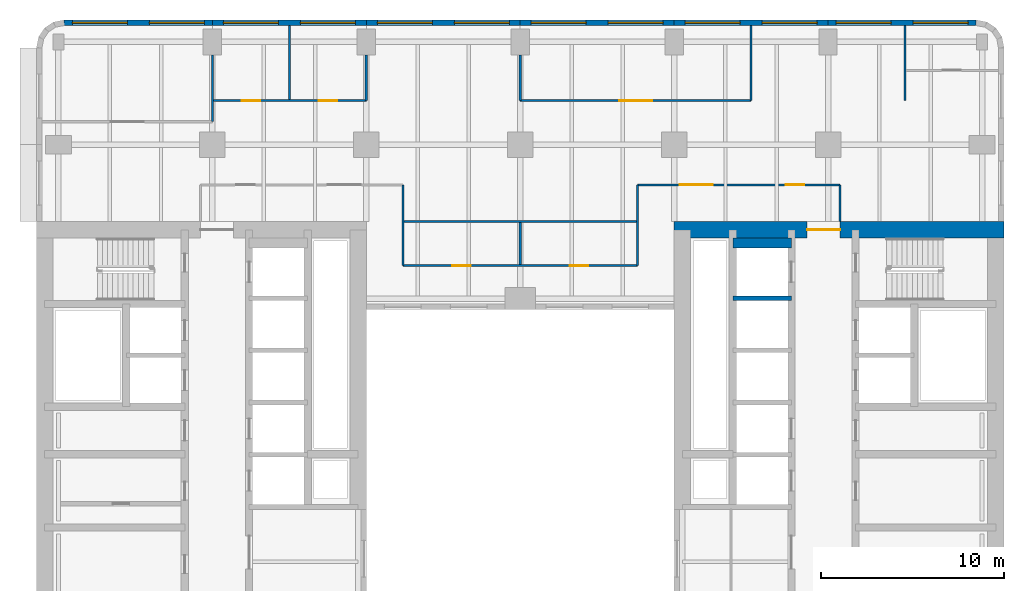
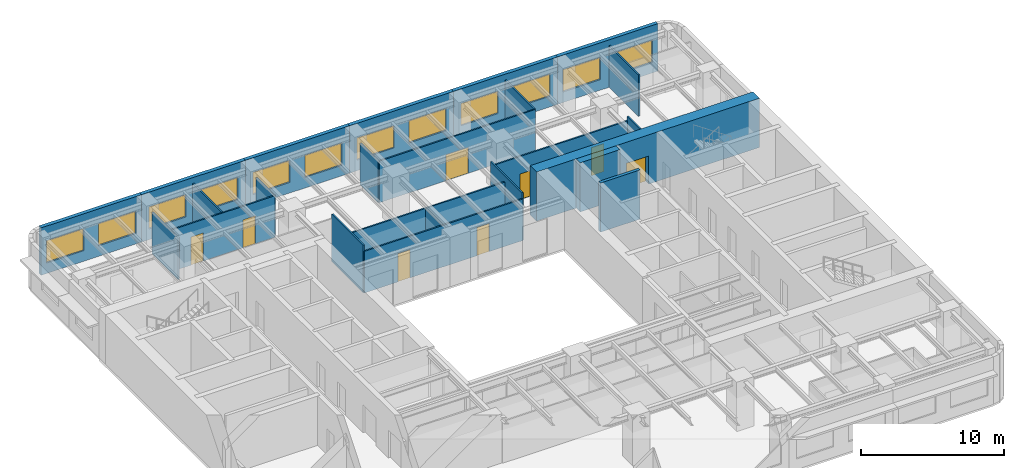
# One storey, part 7 of 11: 24 walls, 12 windows, 8 doors, 20 openings.
"""IFC4 building model written with IfcOpenShell, lengths in metres."""

from ifc_helpers import new_model, si_unit, direction, frame, frame_2d, origin, place, context, subcontext, project, spatial, rectangle, extrude, material, layer, layer_set, type_object, element, fill, save


model = new_model("IFC4")

# Units and contexts
model_context = context("Model", 3, precision=1e-05, world=origin(), true_north=direction((0.0, 1.0)))
body_context = subcontext(model_context, "Body", "Model", "MODEL_VIEW")
ifc_project = project(units=[si_unit("LENGTHUNIT", "METRE"), si_unit("AREAUNIT", "SQUARE_METRE"), si_unit("VOLUMEUNIT", "CUBIC_METRE"), si_unit("PLANEANGLEUNIT", "RADIAN"), si_unit("MASSUNIT", "GRAM", prefix="KILO")], contexts=[model_context])

# Site, building, storey
site_placement = place(None, origin())
site = spatial("IfcSite", under=ifc_project, at=site_placement, CompositionType="ELEMENT")
building_placement = place(site_placement, origin())
building = spatial("IfcBuilding", under=site, at=building_placement, Name="Claustro Exchange Tower", CompositionType="ELEMENT")
storey_placement = place(building_placement, frame((0.0, 0.0, 113.39990234375)))
storey = spatial("IfcBuildingStorey", under=building, at=storey_placement, Name="L25", CompositionType="ELEMENT", Elevation=113.39990234375)

# Wall, openings, doors
ifc_material_1 = material(Name="Laminated glass in aluminium frame", Category="aluminium")
ifc_layer_1 = layer(ifc_material_1, 0.1201171875)
ifc_layer_set_1 = layer_set([ifc_layer_1], Name="Laminated glass in aluminium frame")
wall_type_1 = type_object("IfcWallType", Name="P2 120 glazed partition", PredefinedType="PARTITIONING", material=ifc_layer_set_1)
wall_1_placement = place(storey_placement, frame((8.4580078125, 44.39990234375, 0.0), z_axis=(0.0, 0.0, 1.0), x_axis=(1.0, 0.0, 0.0)))
wall_1 = element("IfcWall", 1, at=wall_1_placement, inside=storey, type_object=wall_type_1, Name="Partition P2 L25", PredefinedType="PARTITIONING", context=body_context, shape_type="SweptSolid", body=[
    extrude(rectangle(XDim=8.342041015625, YDim=0.1201171875, at=frame_2d((4.1708984375, 0.0))), origin(), (0.0, 0.0, 1.0), 3.550048828125),
])
opening_1_placement = place(wall_1_placement, frame((1.5419921875, 0.0, 0.0)))
opening_1 = element("IfcOpeningElement", 2, at=opening_1_placement, cuts=wall_1, Name="Opening D7", PredefinedType="OPENING", context=body_context, shape_type="SweptSolid", body=[
    extrude(rectangle(XDim=1.0, YDim=2.39990234375, at=frame_2d((0.5, 1.199951171875))), frame((0.0, 0.070068359375, 0.0), z_axis=(0.0, -1.0, 0.0), x_axis=(1.0, 0.0, 0.0)), (0.0, 0.0, 1.0), 0.14013671875),
])
opening_2_placement = place(wall_1_placement, frame((5.741943359375, 0.0, 0.0)))
opening_2 = element("IfcOpeningElement", 3, at=opening_2_placement, cuts=wall_1, Name="Opening D7", PredefinedType="OPENING", context=body_context, shape_type="SweptSolid", body=[
    extrude(rectangle(XDim=1.0, YDim=2.39990234375, at=frame_2d((0.5, 1.199951171875))), frame((0.0, 0.070068359375, 0.0), z_axis=(0.0, -1.0, 0.0), x_axis=(1.0, 0.0, 0.0)), (0.0, 0.0, 1.0), 0.14013671875),
])
ifc_material_2 = material(Name="Glass door in aluminium frame", Category="aluminium")
door_type_1 = type_object("IfcDoorType", Name="D7 1000 x 2400 glazed door", OperationType="SINGLE_SWING_LEFT", PredefinedType="DOOR", material=ifc_material_2)
door_1_placement = place(opening_1_placement, origin())
door_1 = element("IfcDoor", 4, at=door_1_placement, inside=storey, type_object=door_type_1, Name="Door D7 L25", OperationType="SINGLE_SWING_RIGHT", OverallHeight=2.39990234375, OverallWidth=1.0, PredefinedType="DOOR", context=body_context, shape_type="SweptSolid", body=[
    extrude(rectangle(XDim=1.0, YDim=2.39990234375, at=frame_2d((0.5, 1.199951171875))), frame((0.0, 0.02490234375, 0.0), z_axis=(0.0, -1.0, 0.0), x_axis=(1.0, 0.0, 0.0)), (0.0, 0.0, 1.0), 0.050048828125),
])
fill(opening_1, door_1)
door_2_placement = place(opening_2_placement, origin())
door_2 = element("IfcDoor", 5, at=door_2_placement, inside=storey, type_object=door_type_1, Name="Door D7 L25", OperationType="SINGLE_SWING_LEFT", OverallHeight=2.39990234375, OverallWidth=1.0, PredefinedType="DOOR", context=body_context, shape_type="SweptSolid", body=[
    extrude(rectangle(XDim=1.0, YDim=2.39990234375, at=frame_2d((0.5, 1.199951171875))), frame((0.0, 0.02490234375, 0.0), z_axis=(0.0, -1.0, 0.0), x_axis=(1.0, 0.0, 0.0)), (0.0, 0.0, 1.0), 0.050048828125),
])
fill(opening_2, door_2)

# Walls
wall_2_placement = place(storey_placement, frame((8.39990234375, 43.25, 0.0), z_axis=(0.0, 0.0, 1.0), x_axis=(0.0, 1.0, 0.0)))
element("IfcWall", 6, at=wall_2_placement, inside=storey, type_object=wall_type_1, Name="Partition P2 L25", PredefinedType="PARTITIONING", context=body_context, shape_type="SweptSolid", body=[
    extrude(rectangle(XDim=3.65087890625, YDim=0.1201171875, at=frame_2d((1.825439453125, 0.0))), origin(), (0.0, 0.0, 1.0), 3.550048828125),
])
wall_3_placement = place(storey_placement, frame((12.60009765625, 44.4580078125, 0.0), z_axis=(0.0, 0.0, 1.0), x_axis=(0.0, 1.0, 0.0)))
element("IfcWall", 7, at=wall_3_placement, inside=storey, type_object=wall_type_1, Name="Partition P2 L25", PredefinedType="PARTITIONING", context=body_context, shape_type="SweptSolid", body=[
    extrude(rectangle(XDim=4.0439453125, YDim=0.1201171875, at=frame_2d((2.02197265625, 0.0))), origin(), (0.0, 0.0, 1.0), 3.56005859375),
])
wall_4_placement = place(storey_placement, frame((16.800048828125, 44.39990234375, 0.0), z_axis=(0.0, 0.0, 1.0), x_axis=(0.0, 1.0, 0.0)))
element("IfcWall", 8, at=wall_4_placement, inside=storey, type_object=wall_type_1, Name="Partition P2 L25", PredefinedType="PARTITIONING", context=body_context, shape_type="SweptSolid", body=[
    extrude(rectangle(XDim=2.5009765625, YDim=0.1201171875, at=frame_2d((1.25048828125, 0.0))), origin(), (0.0, 0.0, 1.0), 3.550048828125),
])

# Wall, opening, door
wall_5_placement = place(storey_placement, frame((25.199951171875, 44.39990234375, 0.0), z_axis=(0.0, 0.0, 1.0), x_axis=(1.0, 0.0, 0.0)))
wall_5 = element("IfcWall", 9, at=wall_5_placement, inside=storey, type_object=wall_type_1, Name="Partition P2 L25", PredefinedType="PARTITIONING", context=body_context, shape_type="SweptSolid", body=[
    extrude(rectangle(XDim=12.60009765625, YDim=0.1201171875, at=frame_2d((6.300048828125, 0.0))), origin(), (0.0, 0.0, 1.0), 3.550048828125),
])
opening_3_placement = place(wall_5_placement, frame((5.39990234375, 0.0, 0.0)))
opening_3 = element("IfcOpeningElement", 10, at=opening_3_placement, cuts=wall_5, Name="Opening D2", PredefinedType="OPENING", context=body_context, shape_type="SweptSolid", body=[
    extrude(rectangle(XDim=1.800048828125, YDim=2.199951171875, at=frame_2d((0.89990234375, 1.10009765625))), frame((0.0, 0.070068359375, 0.0), z_axis=(0.0, -1.0, 0.0), x_axis=(1.0, 0.0, 0.0)), (0.0, 0.0, 1.0), 0.14013671875),
])
ifc_material_3 = material(Name="Timber door, oak veneer", Category="wood")
door_type_2 = type_object("IfcDoorType", Name="D2 1800 x 2200 double door", OperationType="DOUBLE_DOOR_SINGLE_SWING", PredefinedType="DOOR", material=ifc_material_3)
door_3_placement = place(opening_3_placement, origin())
door_3 = element("IfcDoor", 11, at=door_3_placement, inside=storey, type_object=door_type_2, Name="Double door D2 L25", OperationType="DOUBLE_DOOR_SINGLE_SWING", OverallHeight=2.199951171875, OverallWidth=1.800048828125, PredefinedType="DOOR", context=body_context, shape_type="SweptSolid", body=[
    extrude(rectangle(XDim=1.800048828125, YDim=2.199951171875, at=frame_2d((0.89990234375, 1.10009765625))), frame((0.0, 0.02490234375, 0.0), z_axis=(0.0, -1.0, 0.0), x_axis=(1.0, 0.0, 0.0)), (0.0, 0.0, 1.0), 0.050048828125),
])
fill(opening_3, door_3)

# Walls
wall_6_placement = place(storey_placement, frame((25.199951171875, 44.39990234375, 0.0), z_axis=(0.0, 0.0, 1.0), x_axis=(0.0, 1.0, 0.0)))
element("IfcWall", 12, at=wall_6_placement, inside=storey, type_object=wall_type_1, Name="Partition P2 L25", PredefinedType="PARTITIONING", context=body_context, shape_type="SweptSolid", body=[
    extrude(rectangle(XDim=2.5009765625, YDim=0.1201171875, at=frame_2d((1.25048828125, 0.0))), origin(), (0.0, 0.0, 1.0), 3.550048828125),
])
for number, where, z_axis, x_axis, name in (
    (13, (37.800048828125, 44.39990234375, 0.0), (0.0, 0.0, 1.0), (0.0, 1.0, 0.0), "Partition P2 L25"),
    (14, (46.199951171875, 44.39990234375, 0.0), (0.0, 0.0, 1.0), (0.0, 1.0, 0.0), "Partition P2 L25"),
):
    element("IfcWall", number, at=place(storey_placement, frame(where, z_axis=z_axis, x_axis=x_axis)), inside=storey, type_object=wall_type_1, Name=name, PredefinedType="PARTITIONING", context=body_context, shape_type="SweptSolid", body=[
        extrude(rectangle(XDim=4.10205078125, YDim=0.1201171875, at=frame_2d((2.051025390625, 0.0))), origin(), (0.0, 0.0, 1.0), 3.56005859375),
    ])

# Wall, openings, doors
wall_7_placement = place(storey_placement, frame((31.60009765625, 39.800048828125, 0.0), z_axis=(0.0, 0.0, 1.0), x_axis=(1.0, 0.0, 0.0)))
wall_7 = element("IfcWall", 15, at=wall_7_placement, inside=storey, type_object=wall_type_1, Name="Partition P2 L25", PredefinedType="PARTITIONING", context=body_context, shape_type="SweptSolid", body=[
    extrude(rectangle(XDim=11.0498046875, YDim=0.1201171875, at=frame_2d((5.52490234375, 0.0))), origin(), (0.0, 0.0, 1.0), 3.690185546875),
])
opening_4_placement = place(wall_7_placement, frame((2.300048828125, 0.0, 0.0)))
opening_4 = element("IfcOpeningElement", 16, at=opening_4_placement, cuts=wall_7, Name="Opening D2", PredefinedType="OPENING", context=body_context, shape_type="SweptSolid", body=[
    extrude(rectangle(XDim=1.800048828125, YDim=2.199951171875, at=frame_2d((0.89990234375, 1.10009765625))), frame((0.0, 0.070068359375, 0.0), z_axis=(0.0, -1.0, 0.0), x_axis=(1.0, 0.0, 0.0)), (0.0, 0.0, 1.0), 0.14013671875),
])
opening_5_placement = place(wall_7_placement, frame((8.10009765625, 0.0, 0.0)))
opening_5 = element("IfcOpeningElement", 17, at=opening_5_placement, cuts=wall_7, Name="Opening D7", PredefinedType="OPENING", context=body_context, shape_type="SweptSolid", body=[
    extrude(rectangle(XDim=1.0, YDim=2.39990234375, at=frame_2d((0.5, 1.199951171875))), frame((0.0, 0.070068359375, 0.0), z_axis=(0.0, -1.0, 0.0), x_axis=(1.0, 0.0, 0.0)), (0.0, 0.0, 1.0), 0.14013671875),
])
door_4_placement = place(opening_4_placement, origin())
door_4 = element("IfcDoor", 18, at=door_4_placement, inside=storey, type_object=door_type_2, Name="Double door D2 L25", OperationType="DOUBLE_DOOR_SINGLE_SWING", OverallHeight=2.199951171875, OverallWidth=1.800048828125, PredefinedType="DOOR", context=body_context, shape_type="SweptSolid", body=[
    extrude(rectangle(XDim=1.800048828125, YDim=2.199951171875, at=frame_2d((0.89990234375, 1.10009765625))), frame((0.0, 0.02490234375, 0.0), z_axis=(0.0, -1.0, 0.0), x_axis=(1.0, 0.0, 0.0)), (0.0, 0.0, 1.0), 0.050048828125),
])
fill(opening_4, door_4)
door_5_placement = place(opening_5_placement, origin())
door_5 = element("IfcDoor", 19, at=door_5_placement, inside=storey, type_object=door_type_1, Name="Door D7 L25", OperationType="SINGLE_SWING_RIGHT", OverallHeight=2.39990234375, OverallWidth=1.0, PredefinedType="DOOR", context=body_context, shape_type="SweptSolid", body=[
    extrude(rectangle(XDim=1.0, YDim=2.39990234375, at=frame_2d((0.5, 1.199951171875))), frame((0.0, 0.02490234375, 0.0), z_axis=(0.0, -1.0, 0.0), x_axis=(1.0, 0.0, 0.0)), (0.0, 0.0, 1.0), 0.050048828125),
])
fill(opening_5, door_5)

# Walls
wall_8_placement = place(storey_placement, frame((42.64990234375, 37.800048828125, 0.0), z_axis=(0.0, 0.0, 1.0), x_axis=(0.0, 1.0, 0.0)))
element("IfcWall", 20, at=wall_8_placement, inside=storey, type_object=wall_type_1, Name="Partition P2 L25", PredefinedType="PARTITIONING", context=body_context, shape_type="SweptSolid", body=[
    extrude(rectangle(XDim=2.0, YDim=0.1201171875, at=frame_2d((1.0, 0.0))), origin(), (0.0, 0.0, 1.0), 4.050048828125),
])
for number, where, z_axis, x_axis, name in (
    (21, (18.800048828125, 35.39990234375, 0.0), (0.0, 0.0, 1.0), (0.0, 1.0, 0.0), "Partition P2 L25"),
    (22, (31.60009765625, 35.39990234375, 0.0), (0.0, 0.0, 1.0), (0.0, 1.0, 0.0), "Partition P2 L25"),
):
    element("IfcWall", number, at=place(storey_placement, frame(where, z_axis=z_axis, x_axis=x_axis)), inside=storey, type_object=wall_type_1, Name=name, PredefinedType="PARTITIONING", context=body_context, shape_type="SweptSolid", body=[
        extrude(rectangle(XDim=4.400146484375, YDim=0.1201171875, at=frame_2d((2.2001953125, 0.0))), origin(), (0.0, 0.0, 1.0), 4.050048828125),
    ])
wall_9_placement = place(storey_placement, frame((25.199951171875, 35.4580078125, 0.0), z_axis=(0.0, 0.0, 1.0), x_axis=(0.0, 1.0, 0.0)))
element("IfcWall", 23, at=wall_9_placement, inside=storey, type_object=wall_type_1, Name="Partition P2 L25", PredefinedType="PARTITIONING", context=body_context, shape_type="SweptSolid", body=[
    extrude(rectangle(XDim=2.283935546875, YDim=0.1201171875, at=frame_2d((1.14208984375, 0.0))), origin(), (0.0, 0.0, 1.0), 3.550048828125),
])

# Wall, openings, doors
wall_10_placement = place(storey_placement, frame((18.800048828125, 35.39990234375, 0.0), z_axis=(0.0, 0.0, 1.0), x_axis=(1.0, 0.0, 0.0)))
wall_10 = element("IfcWall", 24, at=wall_10_placement, inside=storey, type_object=wall_type_1, Name="Partition P2 L25", PredefinedType="PARTITIONING", context=body_context, shape_type="SweptSolid", body=[
    extrude(rectangle(XDim=12.800048828125, YDim=0.1201171875, at=frame_2d((6.39990234375, 0.0))), origin(), (0.0, 0.0, 1.0), 3.550048828125),
])
opening_6_placement = place(wall_10_placement, frame((2.699951171875, 0.0, 0.0)))
opening_6 = element("IfcOpeningElement", 25, at=opening_6_placement, cuts=wall_10, Name="Opening D7", PredefinedType="OPENING", context=body_context, shape_type="SweptSolid", body=[
    extrude(rectangle(XDim=1.0, YDim=2.39990234375, at=frame_2d((0.5, 1.199951171875))), frame((0.0, 0.070068359375, 0.0), z_axis=(0.0, -1.0, 0.0), x_axis=(1.0, 0.0, 0.0)), (0.0, 0.0, 1.0), 0.14013671875),
])
opening_7_placement = place(wall_10_placement, frame((9.10009765625, 0.0, 0.0)))
opening_7 = element("IfcOpeningElement", 26, at=opening_7_placement, cuts=wall_10, Name="Opening D7", PredefinedType="OPENING", context=body_context, shape_type="SweptSolid", body=[
    extrude(rectangle(XDim=1.0, YDim=2.39990234375, at=frame_2d((0.5, 1.199951171875))), frame((0.0, 0.070068359375, 0.0), z_axis=(0.0, -1.0, 0.0), x_axis=(1.0, 0.0, 0.0)), (0.0, 0.0, 1.0), 0.14013671875),
])
door_6_placement = place(opening_6_placement, origin())
door_6 = element("IfcDoor", 27, at=door_6_placement, inside=storey, type_object=door_type_1, Name="Door D7 L25", OperationType="SINGLE_SWING_RIGHT", OverallHeight=2.39990234375, OverallWidth=1.0, PredefinedType="DOOR", context=body_context, shape_type="SweptSolid", body=[
    extrude(rectangle(XDim=1.0, YDim=2.39990234375, at=frame_2d((0.5, 1.199951171875))), frame((0.0, 0.02490234375, 0.0), z_axis=(0.0, -1.0, 0.0), x_axis=(1.0, 0.0, 0.0)), (0.0, 0.0, 1.0), 0.050048828125),
])
fill(opening_6, door_6)
door_7_placement = place(opening_7_placement, origin())
door_7 = element("IfcDoor", 28, at=door_7_placement, inside=storey, type_object=door_type_1, Name="Door D7 L25", OperationType="SINGLE_SWING_LEFT", OverallHeight=2.39990234375, OverallWidth=1.0, PredefinedType="DOOR", context=body_context, shape_type="SweptSolid", body=[
    extrude(rectangle(XDim=1.0, YDim=2.39990234375, at=frame_2d((0.5, 1.199951171875))), frame((0.0, 0.02490234375, 0.0), z_axis=(0.0, -1.0, 0.0), x_axis=(1.0, 0.0, 0.0)), (0.0, 0.0, 1.0), 0.050048828125),
])
fill(opening_7, door_7)

# Wall
wall_11_placement = place(storey_placement, frame((18.85791015625, 37.800048828125, 0.0), z_axis=(0.0, 0.0, 1.0), x_axis=(1.0, 0.0, 0.0)))
element("IfcWall", 29, at=wall_11_placement, inside=storey, type_object=wall_type_1, Name="Partition P2 L25", PredefinedType="PARTITIONING", context=body_context, shape_type="SweptSolid", body=[
    extrude(rectangle(XDim=12.68408203125, YDim=0.1201171875, at=frame_2d((6.342041015625, 0.0))), origin(), (0.0, 0.0, 1.0), 3.550048828125),
])

# Wall, openings, windows
ifc_material_4 = material(Name="Concrete HA-40 (C40/50), precast, white cement, acid-etched", Category="concrete")
ifc_layer_2 = layer(ifc_material_4, 0.300048828125)
ifc_layer_set_2 = layer_set([ifc_layer_2], Name="Concrete HA-40 (C40/50), precast, white cement, acid-etched")
wall_type_2 = type_object("IfcWallType", Name="PC1 300 precast concrete pier panel", PredefinedType="SOLIDWALL", material=ifc_layer_set_2)
wall_12_placement = place(storey_placement, frame((0.314697265625, 48.64990234375, 0.0), z_axis=(0.0, 0.0, 1.0), x_axis=(1.0, 0.0, 0.0)))
wall_12 = element("IfcWall", 30, at=wall_12_placement, inside=storey, type_object=wall_type_2, Name="Precast pier panel PC1 L25", PredefinedType="SOLIDWALL", context=body_context, shape_type="SweptSolid", body=[
    extrude(rectangle(XDim=8.085205078125, YDim=0.300048828125, at=frame_2d((4.04248046875, 0.0))), origin(), (0.0, 0.0, 1.0), 4.050048828125),
])
opening_8_placement = place(wall_12_placement, frame((0.442626953125, 0.0, 0.89990234375)))
opening_8 = element("IfcOpeningElement", 31, at=opening_8_placement, cuts=wall_12, Name="Opening W1", PredefinedType="OPENING", context=body_context, shape_type="SweptSolid", body=[
    extrude(rectangle(XDim=3.0, YDim=1.89990234375, at=frame_2d((1.5, 0.949951171875))), frame((0.0, 0.159912109375, 0.0), z_axis=(0.0, -1.0, 0.0), x_axis=(1.0, 0.0, 0.0)), (0.0, 0.0, 1.0), 0.320068359375),
])
opening_9_placement = place(wall_12_placement, frame((4.642578125, 0.0, 0.89990234375)))
opening_9 = element("IfcOpeningElement", 32, at=opening_9_placement, cuts=wall_12, Name="Opening W1", PredefinedType="OPENING", context=body_context, shape_type="SweptSolid", body=[
    extrude(rectangle(XDim=3.0, YDim=1.89990234375, at=frame_2d((1.5, 0.949951171875))), frame((0.0, 0.159912109375, 0.0), z_axis=(0.0, -1.0, 0.0), x_axis=(1.0, 0.0, 0.0)), (0.0, 0.0, 1.0), 0.320068359375),
])
ifc_material_5 = material(Name="Aluminium frame, clear double glazing", Category="aluminium")
window_type = type_object("IfcWindowType", Name="W1 3000 x 1900 window", PartitioningType="SINGLE_PANEL", PredefinedType="WINDOW", material=ifc_material_5)
window_1_placement = place(opening_8_placement, origin())
window_1 = element("IfcWindow", 33, at=window_1_placement, inside=storey, type_object=window_type, Name="Window W1 L25", OverallHeight=1.89990234375, OverallWidth=3.0, PartitioningType="SINGLE_PANEL", PredefinedType="WINDOW", context=body_context, shape_type="SweptSolid", body=[
    extrude(rectangle(XDim=3.0, YDim=1.89990234375, at=frame_2d((1.5, 0.949951171875))), frame((0.0, 0.030029296875, 0.0), z_axis=(0.0, -1.0, 0.0), x_axis=(1.0, 0.0, 0.0)), (0.0, 0.0, 1.0), 0.06005859375),
])
fill(opening_8, window_1)
window_2_placement = place(opening_9_placement, origin())
window_2 = element("IfcWindow", 34, at=window_2_placement, inside=storey, type_object=window_type, Name="Window W1 L25", OverallHeight=1.89990234375, OverallWidth=3.0, PartitioningType="SINGLE_PANEL", PredefinedType="WINDOW", context=body_context, shape_type="SweptSolid", body=[
    extrude(rectangle(XDim=3.0, YDim=1.89990234375, at=frame_2d((1.5, 0.949951171875))), frame((0.0, 0.030029296875, 0.0), z_axis=(0.0, -1.0, 0.0), x_axis=(1.0, 0.0, 0.0)), (0.0, 0.0, 1.0), 0.06005859375),
])
fill(opening_9, window_2)

wall_13_placement = place(storey_placement, frame((8.39990234375, 48.64990234375, 0.0), z_axis=(0.0, 0.0, 1.0), x_axis=(1.0, 0.0, 0.0)))
wall_13 = element("IfcWall", 35, at=wall_13_placement, inside=storey, type_object=wall_type_2, Name="Precast pier panel PC1 L25", PredefinedType="SOLIDWALL", context=body_context, shape_type="SweptSolid", body=[
    extrude(rectangle(XDim=8.400146484375, YDim=0.300048828125, at=frame_2d((4.2001953125, 0.0))), origin(), (0.0, 0.0, 1.0), 4.050048828125),
])
opening_10_placement = place(wall_13_placement, frame((0.60009765625, 0.0, 0.89990234375)))
opening_10 = element("IfcOpeningElement", 36, at=opening_10_placement, cuts=wall_13, Name="Opening W1", PredefinedType="OPENING", context=body_context, shape_type="SweptSolid", body=[
    extrude(rectangle(XDim=3.0, YDim=1.89990234375, at=frame_2d((1.5, 0.949951171875))), frame((0.0, 0.159912109375, 0.0), z_axis=(0.0, -1.0, 0.0), x_axis=(1.0, 0.0, 0.0)), (0.0, 0.0, 1.0), 0.320068359375),
])
opening_11_placement = place(wall_13_placement, frame((4.800048828125, 0.0, 0.89990234375)))
opening_11 = element("IfcOpeningElement", 37, at=opening_11_placement, cuts=wall_13, Name="Opening W1", PredefinedType="OPENING", context=body_context, shape_type="SweptSolid", body=[
    extrude(rectangle(XDim=3.0, YDim=1.89990234375, at=frame_2d((1.5, 0.949951171875))), frame((0.0, 0.159912109375, 0.0), z_axis=(0.0, -1.0, 0.0), x_axis=(1.0, 0.0, 0.0)), (0.0, 0.0, 1.0), 0.320068359375),
])
window_3_placement = place(opening_10_placement, origin())
window_3 = element("IfcWindow", 38, at=window_3_placement, inside=storey, type_object=window_type, Name="Window W1 L25", OverallHeight=1.89990234375, OverallWidth=3.0, PartitioningType="SINGLE_PANEL", PredefinedType="WINDOW", context=body_context, shape_type="SweptSolid", body=[
    extrude(rectangle(XDim=3.0, YDim=1.89990234375, at=frame_2d((1.5, 0.949951171875))), frame((0.0, 0.030029296875, 0.0), z_axis=(0.0, -1.0, 0.0), x_axis=(1.0, 0.0, 0.0)), (0.0, 0.0, 1.0), 0.06005859375),
])
fill(opening_10, window_3)
window_4_placement = place(opening_11_placement, origin())
window_4 = element("IfcWindow", 39, at=window_4_placement, inside=storey, type_object=window_type, Name="Window W1 L25", OverallHeight=1.89990234375, OverallWidth=3.0, PartitioningType="SINGLE_PANEL", PredefinedType="WINDOW", context=body_context, shape_type="SweptSolid", body=[
    extrude(rectangle(XDim=3.0, YDim=1.89990234375, at=frame_2d((1.5, 0.949951171875))), frame((0.0, 0.030029296875, 0.0), z_axis=(0.0, -1.0, 0.0), x_axis=(1.0, 0.0, 0.0)), (0.0, 0.0, 1.0), 0.06005859375),
])
fill(opening_11, window_4)

wall_14_placement = place(storey_placement, frame((16.800048828125, 48.64990234375, 0.0), z_axis=(0.0, 0.0, 1.0), x_axis=(1.0, 0.0, 0.0)))
wall_14 = element("IfcWall", 40, at=wall_14_placement, inside=storey, type_object=wall_type_2, Name="Precast pier panel PC1 L25", PredefinedType="SOLIDWALL", context=body_context, shape_type="SweptSolid", body=[
    extrude(rectangle(XDim=8.39990234375, YDim=0.300048828125, at=frame_2d((4.199951171875, 0.0))), origin(), (0.0, 0.0, 1.0), 4.050048828125),
])
opening_12_placement = place(wall_14_placement, frame((0.60009765625, 0.0, 0.89990234375)))
opening_12 = element("IfcOpeningElement", 41, at=opening_12_placement, cuts=wall_14, Name="Opening W1", PredefinedType="OPENING", context=body_context, shape_type="SweptSolid", body=[
    extrude(rectangle(XDim=3.0, YDim=1.89990234375, at=frame_2d((1.5, 0.949951171875))), frame((0.0, 0.159912109375, 0.0), z_axis=(0.0, -1.0, 0.0), x_axis=(1.0, 0.0, 0.0)), (0.0, 0.0, 1.0), 0.320068359375),
])
opening_13_placement = place(wall_14_placement, frame((4.800048828125, 0.0, 0.89990234375)))
opening_13 = element("IfcOpeningElement", 42, at=opening_13_placement, cuts=wall_14, Name="Opening W1", PredefinedType="OPENING", context=body_context, shape_type="SweptSolid", body=[
    extrude(rectangle(XDim=3.0, YDim=1.89990234375, at=frame_2d((1.5, 0.949951171875))), frame((0.0, 0.159912109375, 0.0), z_axis=(0.0, -1.0, 0.0), x_axis=(1.0, 0.0, 0.0)), (0.0, 0.0, 1.0), 0.320068359375),
])
window_5_placement = place(opening_12_placement, origin())
window_5 = element("IfcWindow", 43, at=window_5_placement, inside=storey, type_object=window_type, Name="Window W1 L25", OverallHeight=1.89990234375, OverallWidth=3.0, PartitioningType="SINGLE_PANEL", PredefinedType="WINDOW", context=body_context, shape_type="SweptSolid", body=[
    extrude(rectangle(XDim=3.0, YDim=1.89990234375, at=frame_2d((1.5, 0.949951171875))), frame((0.0, 0.030029296875, 0.0), z_axis=(0.0, -1.0, 0.0), x_axis=(1.0, 0.0, 0.0)), (0.0, 0.0, 1.0), 0.06005859375),
])
fill(opening_12, window_5)
window_6_placement = place(opening_13_placement, origin())
window_6 = element("IfcWindow", 44, at=window_6_placement, inside=storey, type_object=window_type, Name="Window W1 L25", OverallHeight=1.89990234375, OverallWidth=3.0, PartitioningType="SINGLE_PANEL", PredefinedType="WINDOW", context=body_context, shape_type="SweptSolid", body=[
    extrude(rectangle(XDim=3.0, YDim=1.89990234375, at=frame_2d((1.5, 0.949951171875))), frame((0.0, 0.030029296875, 0.0), z_axis=(0.0, -1.0, 0.0), x_axis=(1.0, 0.0, 0.0)), (0.0, 0.0, 1.0), 0.06005859375),
])
fill(opening_13, window_6)

wall_15_placement = place(storey_placement, frame((25.199951171875, 48.64990234375, 0.0), z_axis=(0.0, 0.0, 1.0), x_axis=(1.0, 0.0, 0.0)))
wall_15 = element("IfcWall", 45, at=wall_15_placement, inside=storey, type_object=wall_type_2, Name="Precast pier panel PC1 L25", PredefinedType="SOLIDWALL", context=body_context, shape_type="SweptSolid", body=[
    extrude(rectangle(XDim=8.400146484375, YDim=0.300048828125, at=frame_2d((4.2001953125, 0.0))), origin(), (0.0, 0.0, 1.0), 4.050048828125),
])
opening_14_placement = place(wall_15_placement, frame((0.60009765625, 0.0, 0.89990234375)))
opening_14 = element("IfcOpeningElement", 46, at=opening_14_placement, cuts=wall_15, Name="Opening W1", PredefinedType="OPENING", context=body_context, shape_type="SweptSolid", body=[
    extrude(rectangle(XDim=3.0, YDim=1.89990234375, at=frame_2d((1.5, 0.949951171875))), frame((0.0, 0.159912109375, 0.0), z_axis=(0.0, -1.0, 0.0), x_axis=(1.0, 0.0, 0.0)), (0.0, 0.0, 1.0), 0.320068359375),
])
opening_15_placement = place(wall_15_placement, frame((4.800048828125, 0.0, 0.89990234375)))
opening_15 = element("IfcOpeningElement", 47, at=opening_15_placement, cuts=wall_15, Name="Opening W1", PredefinedType="OPENING", context=body_context, shape_type="SweptSolid", body=[
    extrude(rectangle(XDim=3.0, YDim=1.89990234375, at=frame_2d((1.5, 0.949951171875))), frame((0.0, 0.159912109375, 0.0), z_axis=(0.0, -1.0, 0.0), x_axis=(1.0, 0.0, 0.0)), (0.0, 0.0, 1.0), 0.320068359375),
])
window_7_placement = place(opening_14_placement, origin())
window_7 = element("IfcWindow", 48, at=window_7_placement, inside=storey, type_object=window_type, Name="Window W1 L25", OverallHeight=1.89990234375, OverallWidth=3.0, PartitioningType="SINGLE_PANEL", PredefinedType="WINDOW", context=body_context, shape_type="SweptSolid", body=[
    extrude(rectangle(XDim=3.0, YDim=1.89990234375, at=frame_2d((1.5, 0.949951171875))), frame((0.0, 0.030029296875, 0.0), z_axis=(0.0, -1.0, 0.0), x_axis=(1.0, 0.0, 0.0)), (0.0, 0.0, 1.0), 0.06005859375),
])
fill(opening_14, window_7)
window_8_placement = place(opening_15_placement, origin())
window_8 = element("IfcWindow", 49, at=window_8_placement, inside=storey, type_object=window_type, Name="Window W1 L25", OverallHeight=1.89990234375, OverallWidth=3.0, PartitioningType="SINGLE_PANEL", PredefinedType="WINDOW", context=body_context, shape_type="SweptSolid", body=[
    extrude(rectangle(XDim=3.0, YDim=1.89990234375, at=frame_2d((1.5, 0.949951171875))), frame((0.0, 0.030029296875, 0.0), z_axis=(0.0, -1.0, 0.0), x_axis=(1.0, 0.0, 0.0)), (0.0, 0.0, 1.0), 0.06005859375),
])
fill(opening_15, window_8)

wall_16_placement = place(storey_placement, frame((33.60009765625, 48.64990234375, 0.0), z_axis=(0.0, 0.0, 1.0), x_axis=(1.0, 0.0, 0.0)))
wall_16 = element("IfcWall", 50, at=wall_16_placement, inside=storey, type_object=wall_type_2, Name="Precast pier panel PC1 L25", PredefinedType="SOLIDWALL", context=body_context, shape_type="SweptSolid", body=[
    extrude(rectangle(XDim=8.39990234375, YDim=0.300048828125, at=frame_2d((4.199951171875, 0.0))), origin(), (0.0, 0.0, 1.0), 4.050048828125),
])
opening_16_placement = place(wall_16_placement, frame((0.60009765625, 0.0, 0.89990234375)))
opening_16 = element("IfcOpeningElement", 51, at=opening_16_placement, cuts=wall_16, Name="Opening W1", PredefinedType="OPENING", context=body_context, shape_type="SweptSolid", body=[
    extrude(rectangle(XDim=3.0, YDim=1.89990234375, at=frame_2d((1.5, 0.949951171875))), frame((0.0, 0.159912109375, 0.0), z_axis=(0.0, -1.0, 0.0), x_axis=(1.0, 0.0, 0.0)), (0.0, 0.0, 1.0), 0.320068359375),
])
opening_17_placement = place(wall_16_placement, frame((4.800048828125, 0.0, 0.89990234375)))
opening_17 = element("IfcOpeningElement", 52, at=opening_17_placement, cuts=wall_16, Name="Opening W1", PredefinedType="OPENING", context=body_context, shape_type="SweptSolid", body=[
    extrude(rectangle(XDim=3.0, YDim=1.89990234375, at=frame_2d((1.5, 0.949951171875))), frame((0.0, 0.159912109375, 0.0), z_axis=(0.0, -1.0, 0.0), x_axis=(1.0, 0.0, 0.0)), (0.0, 0.0, 1.0), 0.320068359375),
])
window_9_placement = place(opening_16_placement, origin())
window_9 = element("IfcWindow", 53, at=window_9_placement, inside=storey, type_object=window_type, Name="Window W1 L25", OverallHeight=1.89990234375, OverallWidth=3.0, PartitioningType="SINGLE_PANEL", PredefinedType="WINDOW", context=body_context, shape_type="SweptSolid", body=[
    extrude(rectangle(XDim=3.0, YDim=1.89990234375, at=frame_2d((1.5, 0.949951171875))), frame((0.0, 0.030029296875, 0.0), z_axis=(0.0, -1.0, 0.0), x_axis=(1.0, 0.0, 0.0)), (0.0, 0.0, 1.0), 0.06005859375),
])
fill(opening_16, window_9)
window_10_placement = place(opening_17_placement, origin())
window_10 = element("IfcWindow", 54, at=window_10_placement, inside=storey, type_object=window_type, Name="Window W1 L25", OverallHeight=1.89990234375, OverallWidth=3.0, PartitioningType="SINGLE_PANEL", PredefinedType="WINDOW", context=body_context, shape_type="SweptSolid", body=[
    extrude(rectangle(XDim=3.0, YDim=1.89990234375, at=frame_2d((1.5, 0.949951171875))), frame((0.0, 0.030029296875, 0.0), z_axis=(0.0, -1.0, 0.0), x_axis=(1.0, 0.0, 0.0)), (0.0, 0.0, 1.0), 0.06005859375),
])
fill(opening_17, window_10)

wall_17_placement = place(storey_placement, frame((42.0, 48.64990234375, 0.0), z_axis=(0.0, 0.0, 1.0), x_axis=(1.0, 0.0, 0.0)))
wall_17 = element("IfcWall", 55, at=wall_17_placement, inside=storey, type_object=wall_type_2, Name="Precast pier panel PC1 L25", PredefinedType="SOLIDWALL", context=body_context, shape_type="SweptSolid", body=[
    extrude(rectangle(XDim=8.085205078125, YDim=0.300048828125, at=frame_2d((4.04248046875, 0.0))), origin(), (0.0, 0.0, 1.0), 4.050048828125),
])
opening_18_placement = place(wall_17_placement, frame((0.442626953125, 0.0, 0.89990234375)))
opening_18 = element("IfcOpeningElement", 56, at=opening_18_placement, cuts=wall_17, Name="Opening W1", PredefinedType="OPENING", context=body_context, shape_type="SweptSolid", body=[
    extrude(rectangle(XDim=3.0, YDim=1.89990234375, at=frame_2d((1.5, 0.949951171875))), frame((0.0, 0.159912109375, 0.0), z_axis=(0.0, -1.0, 0.0), x_axis=(1.0, 0.0, 0.0)), (0.0, 0.0, 1.0), 0.320068359375),
])
opening_19_placement = place(wall_17_placement, frame((4.642578125, 0.0, 0.89990234375)))
opening_19 = element("IfcOpeningElement", 57, at=opening_19_placement, cuts=wall_17, Name="Opening W1", PredefinedType="OPENING", context=body_context, shape_type="SweptSolid", body=[
    extrude(rectangle(XDim=3.0, YDim=1.89990234375, at=frame_2d((1.5, 0.949951171875))), frame((0.0, 0.159912109375, 0.0), z_axis=(0.0, -1.0, 0.0), x_axis=(1.0, 0.0, 0.0)), (0.0, 0.0, 1.0), 0.320068359375),
])
window_11_placement = place(opening_18_placement, origin())
window_11 = element("IfcWindow", 58, at=window_11_placement, inside=storey, type_object=window_type, Name="Window W1 L25", OverallHeight=1.89990234375, OverallWidth=3.0, PartitioningType="SINGLE_PANEL", PredefinedType="WINDOW", context=body_context, shape_type="SweptSolid", body=[
    extrude(rectangle(XDim=3.0, YDim=1.89990234375, at=frame_2d((1.5, 0.949951171875))), frame((0.0, 0.030029296875, 0.0), z_axis=(0.0, -1.0, 0.0), x_axis=(1.0, 0.0, 0.0)), (0.0, 0.0, 1.0), 0.06005859375),
])
fill(opening_18, window_11)
window_12_placement = place(opening_19_placement, origin())
window_12 = element("IfcWindow", 59, at=window_12_placement, inside=storey, type_object=window_type, Name="Window W1 L25", OverallHeight=1.89990234375, OverallWidth=3.0, PartitioningType="SINGLE_PANEL", PredefinedType="WINDOW", context=body_context, shape_type="SweptSolid", body=[
    extrude(rectangle(XDim=3.0, YDim=1.89990234375, at=frame_2d((1.5, 0.949951171875))), frame((0.0, 0.030029296875, 0.0), z_axis=(0.0, -1.0, 0.0), x_axis=(1.0, 0.0, 0.0)), (0.0, 0.0, 1.0), 0.06005859375),
])
fill(opening_19, window_12)

# Wall, opening, door
ifc_material_6 = material(Name="Concrete HA-70 (C70/85)", Category="concrete")
ifc_layer_3 = layer(ifc_material_6, 0.89990234375)
ifc_layer_set_3 = layer_set([ifc_layer_3], Name="Concrete HA-70 (C70/85)")
wall_type_3 = type_object("IfcWallType", Name="SW1 900 core shear wall", PredefinedType="SHEAR", material=ifc_layer_set_3)
wall_18_placement = place(storey_placement, frame((33.60009765625, 37.35009765625, 0.0), z_axis=(0.0, 0.0, 1.0), x_axis=(1.0, 0.0, 0.0)))
wall_18 = element("IfcWall", 60, at=wall_18_placement, inside=storey, type_object=wall_type_3, Name="Core wall SW1 E core N face L25", PredefinedType="SHEAR", context=body_context, shape_type="SweptSolid", body=[
    extrude(rectangle(XDim=18.0, YDim=0.89990234375, at=frame_2d((9.0, 0.0))), origin(), (0.0, 0.0, 1.0), 4.2001953125),
])
opening_20_placement = place(wall_18_placement, frame((7.25, 0.0, 0.0)))
opening_20 = element("IfcOpeningElement", 61, at=opening_20_placement, cuts=wall_18, Name="Opening D3", PredefinedType="OPENING", context=body_context, shape_type="SweptSolid", body=[
    extrude(rectangle(XDim=1.800048828125, YDim=2.39990234375, at=frame_2d((0.89990234375, 1.199951171875))), frame((0.0, 0.4599609375, 0.0), z_axis=(0.0, -1.0, 0.0), x_axis=(1.0, 0.0, 0.0)), (0.0, 0.0, 1.0), 0.919921875),
])
ifc_material_7 = material(Name="Steel fire door, painted", Category="steel")
door_type_3 = type_object("IfcDoorType", Name="D3 1800 x 2400 fire-rated lobby double door", OperationType="DOUBLE_DOOR_SINGLE_SWING", PredefinedType="DOOR", material=ifc_material_7)
door_8_placement = place(opening_20_placement, frame((1.800048828125, 0.0, 0.0), z_axis=(0.0, 0.0, 1.0), x_axis=(-1.0, 0.0, 0.0)))
door_8 = element("IfcDoor", 62, at=door_8_placement, inside=storey, type_object=door_type_3, Name="Lift lobby door D3 L25", OperationType="DOUBLE_DOOR_SINGLE_SWING", OverallHeight=2.39990234375, OverallWidth=1.800048828125, PredefinedType="DOOR", context=body_context, shape_type="SweptSolid", body=[
    extrude(rectangle(XDim=1.800048828125, YDim=2.39990234375, at=frame_2d((0.89990234375, 1.199951171875))), frame((0.0, 0.02490234375, 0.0), z_axis=(0.0, -1.0, 0.0), x_axis=(1.0, 0.0, 0.0)), (0.0, 0.0, 1.0), 0.050048828125),
])
fill(opening_20, door_8)

# Walls
ifc_material_8 = material(Name="Concrete HA-50 (C50/60)", Category="concrete")
ifc_layer_4 = layer(ifc_material_8, 0.25)
ifc_layer_set_4 = layer_set([ifc_layer_4], Name="Concrete HA-50 (C50/60)")
wall_type_4 = type_object("IfcWallType", Name="SW5 250 lift shaft divider wall", PredefinedType="SHEAR", material=ifc_layer_set_4)
wall_19_placement = place(storey_placement, frame((40.0, 33.625, 0.0), z_axis=(0.0, 0.0, 1.0), x_axis=(-1.0, 0.0, 0.0)))
element("IfcWall", 63, at=wall_19_placement, inside=storey, type_object=wall_type_4, Name="Lift shaft wall E core L25", PredefinedType="SHEAR", context=body_context, shape_type="SweptSolid", body=[
    extrude(rectangle(XDim=3.199951171875, YDim=0.25, at=frame_2d((1.60009765625, 0.0))), origin(), (0.0, 0.0, 1.0), 4.2001953125),
])
ifc_material_9 = material(Name="Concrete HA-50 (C50/60)", Category="concrete")
ifc_layer_5 = layer(ifc_material_9, 0.550048828125)
ifc_layer_set_5 = layer_set([ifc_layer_5], Name="Concrete HA-50 (C50/60)")
wall_type_5 = type_object("IfcWallType", Name="SW6 550 lift shaft end wall", PredefinedType="SHEAR", material=ifc_layer_set_5)
wall_20_placement = place(storey_placement, frame((40.0, 36.625, 0.0), z_axis=(0.0, 0.0, 1.0), x_axis=(-1.0, 0.0, 0.0)))
element("IfcWall", 64, at=wall_20_placement, inside=storey, type_object=wall_type_5, Name="Lift shaft wall E core L25", PredefinedType="SHEAR", context=body_context, shape_type="SweptSolid", body=[
    extrude(rectangle(XDim=3.199951171875, YDim=0.550048828125, at=frame_2d((1.60009765625, 0.0))), origin(), (0.0, 0.0, 1.0), 4.2001953125),
])

save(model, "model.ifc")
